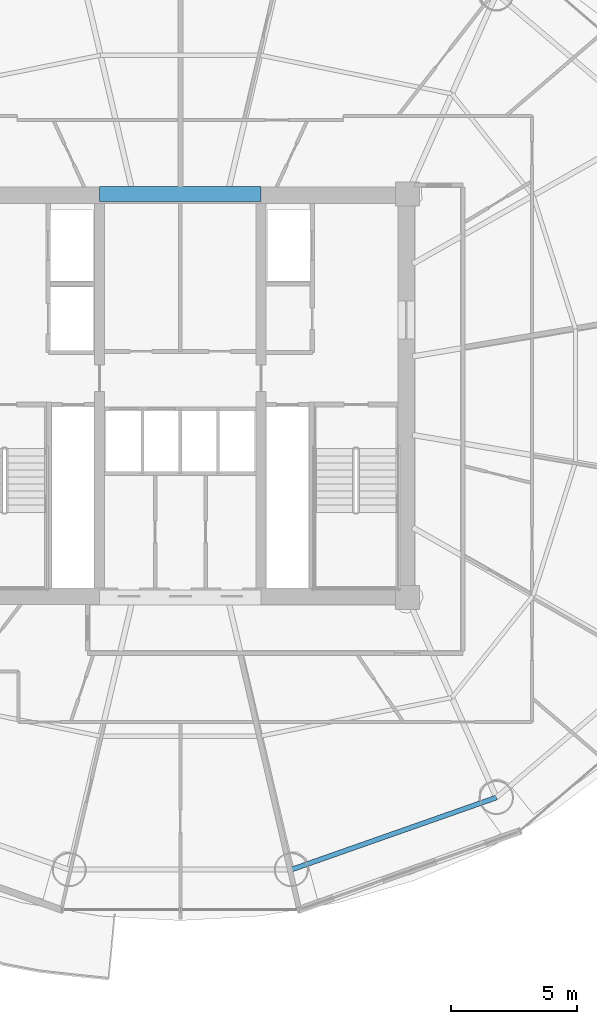
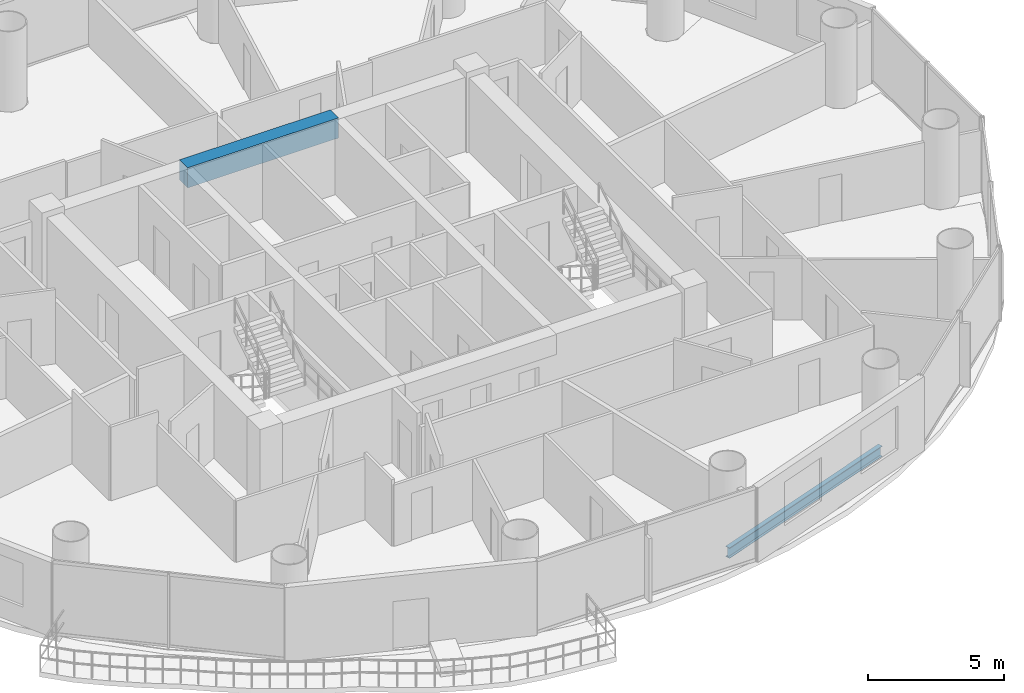
# One storey, part 9 of 26: 2 beams.
"""IFC4 building model written with IfcOpenShell, lengths in metres."""

import ifcopenshell
import ifcopenshell.guid

model = None  # the IFC model being written
_history = None  # IfcOwnerHistory: only IFC2X3 demands one
_inside = {}  # id of a spatial element -> (the spatial element, [elements in it])
_under = {}  # id of a project, library or spatial element -> (it, [spatial elements below it])
_declared = {}  # id of a project -> (the project, [libraries it declares])
_typed = {}  # id of a type object -> (the type object, [elements of that type])
_made_of = {}  # id of a material, layer set ... -> (it, [elements and type objects made of it])


def new_model(schema):
    """Start an empty IFC model of exactly this schema.

    Asked for "IFC4X3", IfcOpenShell would pick the latest addendum, in which some entities
    have other attributes; the version numbers below select the first issue.
    IFC2X3 requires an IfcOwnerHistory on every rooted entity: one is made here for all.
    """
    global model, _history
    if schema == "IFC4X3":
        model = ifcopenshell.file(schema_version=(4, 3, 0, 0))
    else:
        model = ifcopenshell.file(schema=schema)
    _inside.clear()
    _under.clear()
    _declared.clear()
    _typed.clear()
    _made_of.clear()
    _history = None
    if model.schema == "IFC2X3":
        org = make("IfcOrganization", Name="unknown")
        user = make(
            "IfcPersonAndOrganization",
            ThePerson=make("IfcPerson", FamilyName="unknown"),
            TheOrganization=org,
        )
        app = make(
            "IfcApplication",
            ApplicationDeveloper=org,
            Version="unknown",
            ApplicationFullName="unknown",
            ApplicationIdentifier="unknown",
        )
        _history = make(
            "IfcOwnerHistory",
            OwningUser=user,
            OwningApplication=app,
            ChangeAction="ADDED",
            CreationDate=0,
        )
    return model


def make(cls, **values):
    """One entity of the class cls with the attributes given. An attribute that is None is left unset."""
    return model.create_entity(
        cls, **{name: value for name, value in values.items() if value is not None}
    )


def rooted(cls, **values):
    """An entity with a GlobalId (a new one), such as an element, a storey or a relation."""
    return make(cls, GlobalId=ifcopenshell.guid.new(), OwnerHistory=_history, **values)


def si_unit(unit_type, name, prefix=None):
    """IfcSIUnit, for example si_unit("LENGTHUNIT", "METRE", prefix="MILLI")."""
    return make("IfcSIUnit", UnitType=unit_type, Prefix=prefix, Name=name)


def assignment(units):
    """IfcUnitAssignment: the units of a project."""
    return None if units is None else make("IfcUnitAssignment", Units=units)


def point(xyz):
    """IfcCartesianPoint."""
    return None if xyz is None else make("IfcCartesianPoint", Coordinates=xyz)


def direction(xyz):
    """IfcDirection."""
    return None if xyz is None else make("IfcDirection", DirectionRatios=xyz)


def frame(location, z_axis=None, x_axis=None):
    """IfcAxis2Placement3D, a coordinate frame: its origin and axes. An axis left out is left unset."""
    return make(
        "IfcAxis2Placement3D",
        Location=point(location),
        Axis=direction(z_axis),
        RefDirection=direction(x_axis),
    )


def frame_2d(location, x_axis=None):
    """IfcAxis2Placement2D, a coordinate frame in the plane: its origin and x axis."""
    return make(
        "IfcAxis2Placement2D", Location=point(location), RefDirection=direction(x_axis)
    )


def origin():
    """The frame at (0, 0, 0) with its axes left unset."""
    return frame((0.0, 0.0, 0.0))


def origin_2d():
    """The frame at (0, 0) in the plane with its x axis left unset."""
    return frame_2d((0.0, 0.0))


def place(relative_to, where):
    """IfcLocalPlacement: puts the frame where relative to a parent placement (None: the world)."""
    return make(
        "IfcLocalPlacement", PlacementRelTo=relative_to, RelativePlacement=where
    )


def context(
    kind, dimensions, precision=None, world=None, true_north=None, identifier=None
):
    """IfcGeometricRepresentationContext, for example the 3D "Model" context."""
    return make(
        "IfcGeometricRepresentationContext",
        ContextIdentifier=identifier,
        ContextType=kind,
        CoordinateSpaceDimension=dimensions,
        Precision=precision,
        WorldCoordinateSystem=world,
        TrueNorth=true_north,
    )


def subcontext(parent, identifier, kind, view, scale=None):
    """IfcGeometricRepresentationSubContext, for example "Body" below "Model"."""
    return make(
        "IfcGeometricRepresentationSubContext",
        ContextIdentifier=identifier,
        ContextType=kind,
        ParentContext=parent,
        TargetScale=scale,
        TargetView=view,
    )


def project(units=None, contexts=None):
    """IfcProject with its units and contexts."""
    return rooted(
        "IfcProject",
        Name="project",
        RepresentationContexts=contexts,
        UnitsInContext=assignment(units),
    )


def spatial(cls, under=None, at=None, **own):
    """A site, building, storey or space (cls), placed at a placement, below another one or the project."""
    s = rooted(cls, ObjectPlacement=at, **own)
    if under is not None:
        _under.setdefault(under.id(), (under, []))[1].append(s)
    return s


def profile(cls, at=None, kind="AREA", **sizes):
    """A parametric profile (cls). Its sizes go by their IFC names, for example OverallWidth=200.0."""
    return make(cls, ProfileType=kind, Position=at, **sizes)


def rectangle(**sizes):
    """IfcRectangleProfileDef."""
    return profile("IfcRectangleProfileDef", **sizes)


def i_section(**sizes):
    """IfcIShapeProfileDef."""
    return profile("IfcIShapeProfileDef", **sizes)


def extrude(swept, where, along, depth):
    """IfcExtrudedAreaSolid: the profile swept, set in the frame where, extruded along a direction by depth."""
    return make(
        "IfcExtrudedAreaSolid",
        SweptArea=swept,
        Position=where,
        ExtrudedDirection=direction(along),
        Depth=depth,
    )


def shape(context_of_items, identifier, shape_type, items):
    """IfcShapeRepresentation: the items that make up one representation, for example the "Body"."""
    return make(
        "IfcShapeRepresentation",
        ContextOfItems=context_of_items,
        RepresentationIdentifier=identifier,
        RepresentationType=shape_type,
        Items=items,
    )


def material(Name=None, Category=None):
    """IfcMaterial."""
    return make("IfcMaterial", Name=Name, Category=Category)


def material_profile(
    of_material, cross_section, Name=None, Category=None, Priority=None
):
    """IfcMaterialProfile: a cross section and its material."""
    return make(
        "IfcMaterialProfile",
        Name=Name,
        Material=of_material,
        Profile=cross_section,
        Priority=Priority,
        Category=Category,
    )


def profile_set(profiles, Name=None, composite=None):
    """IfcMaterialProfileSet."""
    return make(
        "IfcMaterialProfileSet",
        Name=Name,
        MaterialProfiles=profiles,
        CompositeProfile=composite,
    )


def made_of(thing, what):
    """Note that an element or type object is made of a material, layer set ...; save() writes the relation."""
    if what is not None:
        _made_of.setdefault(what.id(), (what, []))[1].append(thing)
    return thing


def type_object(cls, material=None, **own):
    """A type object (cls), such as IfcWallType, which elements share."""
    return made_of(rooted(cls, **own), material)


def element(
    cls,
    number,
    at=None,
    inside=None,
    cuts=None,
    type_object=None,
    material=None,
    context=None,
    identifier="Body",
    shape_type=None,
    held_by="IfcProductDefinitionShape",
    body=None,
    shapes=None,
    **own,
):
    """One element of the class cls, such as IfcWall. Its Tag is "e" and its number.

    at: its placement. inside: the storey or other place that contains it. cuts: it is an
    opening in that element (IfcRelVoidsElement). A single representation is given by context,
    identifier, shape_type and body (its items); several are given by shapes. held_by: the class
    of the entity that holds the representations. save() writes the other relations.
    """
    e = rooted(cls, Tag="e%d" % number, ObjectPlacement=at, **own)
    if body is not None:
        shapes = [shape(context, identifier, shape_type, body)]
    if shapes is not None:
        e.Representation = make(held_by, Representations=shapes)
    if inside is not None:
        _inside.setdefault(inside.id(), (inside, []))[1].append(e)
    if cuts is not None:
        rooted(
            "IfcRelVoidsElement", RelatingBuildingElement=cuts, RelatedOpeningElement=e
        )
    if type_object is not None:
        _typed.setdefault(type_object.id(), (type_object, []))[1].append(e)
    return made_of(e, material)


def aggregate(whole, parts):
    """IfcRelAggregates: a whole, such as a stair, and the parts it consists of."""
    return rooted("IfcRelAggregates", RelatingObject=whole, RelatedObjects=parts)


def save(model, path):
    """Write the relations noted so far, then the file.

    IfcRelAggregates (storeys below a building ...), IfcRelContainedInSpatialStructure (elements
    in a storey), IfcRelDefinesByType, IfcRelAssociatesMaterial and IfcRelDeclares: one each for
    every whole, place, type object, material and project.
    """
    for whole, parts in _under.values():
        aggregate(whole, parts)
    for where, things in _inside.values():
        rooted(
            "IfcRelContainedInSpatialStructure",
            RelatedElements=things,
            RelatingStructure=where,
        )
    for kind, things in _typed.values():
        rooted("IfcRelDefinesByType", RelatedObjects=things, RelatingType=kind)
    for what, things in _made_of.values():
        rooted("IfcRelAssociatesMaterial", RelatedObjects=things, RelatingMaterial=what)
    for by, libraries in _declared.values():
        rooted("IfcRelDeclares", RelatingContext=by, RelatedDefinitions=libraries)
    model.write(path)


model = new_model("IFC4")

# Units and contexts
model_context = context("Model", 3, precision=1e-05, world=origin(), true_north=direction((-0.2419218956, 0.970295726276)))
body_context = subcontext(model_context, "Body", "Model", "MODEL_VIEW")
ifc_project = project(units=[si_unit("LENGTHUNIT", "METRE"), si_unit("AREAUNIT", "SQUARE_METRE"), si_unit("VOLUMEUNIT", "CUBIC_METRE"), si_unit("PLANEANGLEUNIT", "RADIAN"), si_unit("MASSUNIT", "GRAM", prefix="KILO")], contexts=[model_context])

# Site, building, storey
site_placement = place(None, origin())
site = spatial("IfcSite", under=ifc_project, at=site_placement, CompositionType="ELEMENT")
building_placement = place(site_placement, origin())
building = spatial("IfcBuilding", under=site, at=building_placement, Name="Cobrevalo Terracotta Tower", CompositionType="ELEMENT")
storey_placement = place(building_placement, frame((0.0, 0.0, 142.60009765625)))
storey = spatial("IfcBuildingStorey", under=building, at=storey_placement, Name="L37", CompositionType="ELEMENT", Elevation=142.60009765625)

# Beams
ifc_material_1 = material(Name="Concrete C60", Category="concrete")
ifc_material_profile_1 = material_profile(ifc_material_1, rectangle(XDim=0.60009765625, YDim=0.89990234375, at=origin_2d()), Name="RC CB 600x900")
ifc_profile_set_1 = profile_set([ifc_material_profile_1], Name="Concrete C60")
beam_type_1 = type_object("IfcBeamType", Name="Structural Beam RC CB 600x900 (Concrete C60)", PredefinedType="BEAM", material=ifc_profile_set_1)
beam_1_placement = place(storey_placement, frame((34.800048828125, 34.800048828125, 2.8798828125), z_axis=(1.0, 0.0, 0.0), x_axis=(0.0, 1.0, 0.0)))
element("IfcBeam", 1, at=beam_1_placement, inside=storey, type_object=beam_type_1, Name="L37 core coupling beam 2", PredefinedType="BEAM", context=body_context, shape_type="SweptSolid", body=[
    extrude(rectangle(XDim=0.60009765625, YDim=0.89990234375, at=origin_2d()), origin(), (0.0, 0.0, 1.0), 6.39990234375),
])
ifc_material_2 = material(Name="Steel S355", Category="steel")
ifc_material_profile_2 = material_profile(ifc_material_2, i_section(OverallWidth=0.194091796875, OverallDepth=0.468994140625, WebThickness=0.011474609375, FlangeThickness=0.0205078125, at=origin_2d()), Name="W 460x106")
ifc_profile_set_2 = profile_set([ifc_material_profile_2], Name="Steel S355")
beam_type_2 = type_object("IfcBeamType", Name="Structural Spandrel W 460x106 (Steel S355)", PredefinedType="SPANDREL", material=ifc_profile_set_2)
beam_2_placement = place(storey_placement, frame((42.399169921875, 8.01806640625, -0.504638671875), z_axis=(0.943341298492, 0.331824041565, 0.0), x_axis=(-0.331824041565, 0.943341298492, 0.0)))
element("IfcBeam", 2, at=beam_2_placement, inside=storey, type_object=beam_type_2, Name="L37 perimeter ring spandrel 13", PredefinedType="SPANDREL", context=body_context, shape_type="SweptSolid", body=[
    extrude(i_section(OverallWidth=0.194091796875, OverallDepth=0.468994140625, WebThickness=0.011474609375, FlangeThickness=0.0205078125, at=origin_2d()), origin(), (0.0, 0.0, 1.0), 8.6171875),
])

save(model, "model.ifc")
